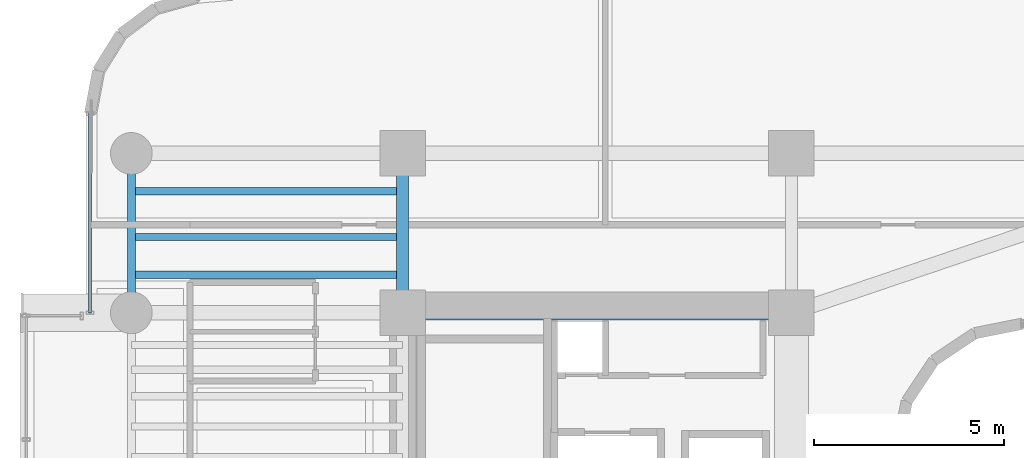
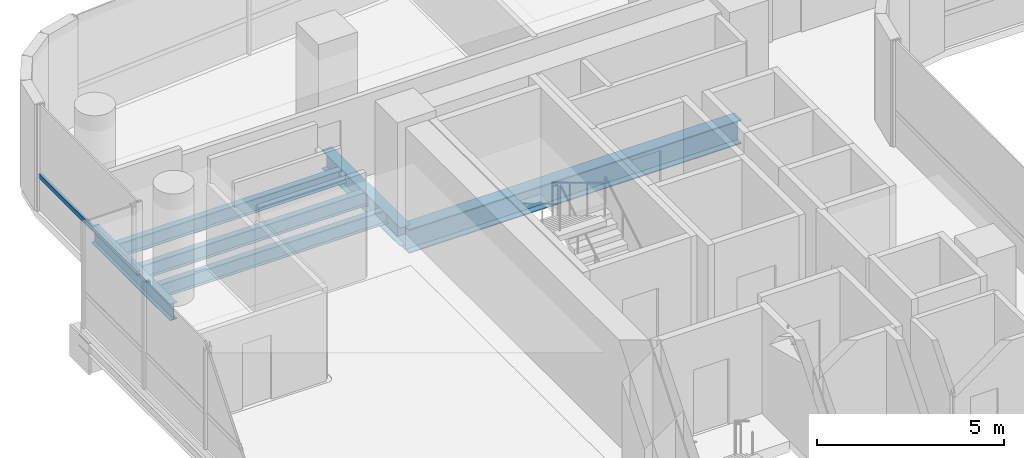
# One storey, part 8 of 34: 6 beams, 1 member, 1 element without a shape of its own.
"""IFC4 building model written with IfcOpenShell, lengths in metres."""

from ifc_helpers import new_model, si_unit, direction, frame, origin, origin_2d, place, context, subcontext, project, spatial, hollow_rectangle, i_section, extrude, source, transform, mapped, material, material_profile, profile_set, type_object, element, aggregate, save


model = new_model("IFC4")

# Units and contexts
model_context = context("Model", 3, precision=1e-05, world=origin(), true_north=direction((0.0, 1.0)))
body_context = subcontext(model_context, "Body", "Model", "MODEL_VIEW")
ifc_project = project(units=[si_unit("LENGTHUNIT", "METRE"), si_unit("AREAUNIT", "SQUARE_METRE"), si_unit("VOLUMEUNIT", "CUBIC_METRE"), si_unit("PLANEANGLEUNIT", "RADIAN"), si_unit("MASSUNIT", "GRAM", prefix="KILO")], contexts=[model_context])

# Site, building, storey
site_placement = place(None, origin())
site = spatial("IfcSite", under=ifc_project, at=site_placement, CompositionType="ELEMENT")
building_placement = place(site_placement, origin())
building = spatial("IfcBuilding", under=site, at=building_placement, Name="Valdorenza Pilgrim Sanctuary Tower", CompositionType="ELEMENT")
storey_placement = place(building_placement, frame((0.0, 0.0, 142.699951171875)))
storey = spatial("IfcBuildingStorey", under=building, at=storey_placement, Name="L36", CompositionType="ELEMENT", Elevation=142.699951171875)

# Beams
ifc_material_1 = material(Name="Steel ASTM A992 Grade 50", Category="steel")
ifc_material_profile_1 = material_profile(ifc_material_1, i_section(OverallWidth=0.214111328125, OverallDepth=0.549072265625, WebThickness=0.0146484375, FlangeThickness=0.023681640625, at=origin_2d()), Name="W21X93")
ifc_profile_set_1 = profile_set([ifc_material_profile_1], Name="Steel ASTM A992 Grade 50")
beam_type_1 = type_object("IfcBeamType", Name="STR-BM-SPN-W21A", PredefinedType="SPANDREL", material=ifc_profile_set_1)
shared_shape_1 = source(origin(), body_context, "Body", "SweptSolid", [
    extrude(i_section(OverallWidth=0.214111328125, OverallDepth=0.549072265625, WebThickness=0.0146484375, FlangeThickness=0.023681640625, at=origin_2d()), origin(), (0.0, 0.0, 1.0), 4.199951171875),
])
beam_1_placement = place(storey_placement, frame((-29.800048828125, 10.60009765625, -0.514404296875), z_axis=(0.0, 1.0, 0.0), x_axis=(-1.0, 0.0, 0.0)))
element("IfcBeam", 1, at=beam_1_placement, inside=storey, type_object=beam_type_1, Name="L36 Spandrel Beam WA-W-N1N2", PredefinedType="SPANDREL", context=body_context, shape_type="MappedRepresentation", body=[
    mapped(shared_shape_1, transform((0.0, 0.0, 0.0), x_axis=(1.0, 0.0, 0.0), y_axis=(0.0, 1.0, 0.0), z_axis=(0.0, 0.0, 1.0), scale=1.0)),
])
ifc_material_profile_2 = material_profile(ifc_material_1, i_section(OverallWidth=0.323974609375, OverallDepth=0.611083984375, WebThickness=0.0126953125, FlangeThickness=0.01904296875, at=origin_2d()), Name="W24X104")
ifc_profile_set_2 = profile_set([ifc_material_profile_2], Name="Steel ASTM A992 Grade 50")
beam_type_2 = type_object("IfcBeamType", Name="STR-BM-GRD-W24B", PredefinedType="BEAM", material=ifc_profile_set_2)
shared_shape_2 = source(origin(), body_context, "Body", "SweptSolid", [
    extrude(i_section(OverallWidth=0.323974609375, OverallDepth=0.611083984375, WebThickness=0.0126953125, FlangeThickness=0.01904296875, at=origin_2d()), origin(), (0.0, 0.0, 1.0), 4.199951171875),
])
beam_2_placement = place(storey_placement, frame((-22.64990234375, 10.60009765625, -0.54541015625), z_axis=(0.0, 1.0, 0.0), x_axis=(-1.0, 0.0, 0.0)))
element("IfcBeam", 2, at=beam_2_placement, inside=storey, type_object=beam_type_2, Name="L36 Core Tie Girder CA-W-N1N2", PredefinedType="BEAM", context=body_context, shape_type="MappedRepresentation", body=[
    mapped(shared_shape_2, transform((0.0, 0.0, 0.0), x_axis=(1.0, 0.0, 0.0), y_axis=(0.0, 1.0, 0.0), z_axis=(0.0, 0.0, 1.0), scale=1.0)),
])
ifc_material_profile_3 = material_profile(ifc_material_1, i_section(OverallWidth=0.382080078125, OverallDepth=0.779052734375, WebThickness=0.01806640625, FlangeThickness=0.030029296875, at=origin_2d()), Name="W30X191")
ifc_profile_set_3 = profile_set([ifc_material_profile_3], Name="Steel ASTM A992 Grade 50")
beam_type_3 = type_object("IfcBeamType", Name="STR-BM-GRD-W30", PredefinedType="BEAM", material=ifc_profile_set_3)
shared_shape_3 = source(origin(), body_context, "Body", "SweptSolid", [
    extrude(i_section(OverallWidth=0.382080078125, OverallDepth=0.779052734375, WebThickness=0.01806640625, FlangeThickness=0.030029296875, at=origin_2d()), origin(), (0.0, 0.0, 1.0), 10.25),
])
beam_3_placement = place(storey_placement, frame((-22.64990234375, 10.60009765625, -0.62939453125), z_axis=(1.0, 0.0, 0.0), x_axis=(0.0, 1.0, 0.0)))
element("IfcBeam", 3, at=beam_3_placement, inside=storey, type_object=beam_type_3, Name="L36 Floor Girder CA-XC-N1", PredefinedType="BEAM", context=body_context, shape_type="MappedRepresentation", body=[
    mapped(shared_shape_3, transform((0.0, 0.0, 0.0), x_axis=(1.0, 0.0, 0.0), y_axis=(0.0, 1.0, 0.0), z_axis=(0.0, 0.0, 1.0), scale=1.0)),
])
ifc_material_profile_4 = material_profile(ifc_material_1, i_section(OverallWidth=0.19091796875, OverallDepth=0.45703125, WebThickness=0.009033203125, FlangeThickness=0.014404296875, at=origin_2d()), Name="W18X50")
ifc_profile_set_4 = profile_set([ifc_material_profile_4], Name="Steel ASTM A992 Grade 50")
beam_type_4 = type_object("IfcBeamType", Name="STR-BM-JST-W18B", PredefinedType="JOIST", material=ifc_profile_set_4)
shared_shape_4 = source(origin(), body_context, "Body", "SweptSolid", [
    extrude(i_section(OverallWidth=0.19091796875, OverallDepth=0.45703125, WebThickness=0.009033203125, FlangeThickness=0.014404296875, at=origin_2d()), origin(), (0.0, 0.0, 1.0), 7.150146484375),
])
for number, where, z_axis, x_axis, name in (
    (4, (-29.800048828125, 11.60009765625, -0.468505859375), (1.0, 0.0, 0.0), (0.0, 1.0, 0.0), "L36 Composite Floor Joist JST-WA-24"),
    (5, (-29.800048828125, 12.60009765625, -0.468505859375), (1.0, 0.0, 0.0), (0.0, 1.0, 0.0), "L36 Composite Floor Joist JST-WA-25"),
    (6, (-29.800048828125, 13.800048828125, -0.468505859375), (1.0, 0.0, 0.0), (0.0, 1.0, 0.0), "L36 Composite Floor Joist JST-WA-26"),
):
    element("IfcBeam", number, at=place(storey_placement, frame(where, z_axis=z_axis, x_axis=x_axis)), inside=storey, type_object=beam_type_4, Name=name, PredefinedType="JOIST", context=body_context, shape_type="MappedRepresentation", body=[
        mapped(shared_shape_4, transform((0.0, 0.0, 0.0), x_axis=(1.0, 0.0, 0.0), y_axis=(0.0, 1.0, 0.0), z_axis=(0.0, 0.0, 1.0), scale=1.0)),
    ])

# Curtain wall, member
ifc_material_2 = material(Name="Curtain-wall IGU glazing", Category="glass")
curtain_wall_type = type_object("IfcCurtainWallType", Name="CW-SYS-02", PredefinedType="NOTDEFINED", material=ifc_material_2)
curtain_wall_placement = place(storey_placement, origin())
curtain_wall = element("IfcCurtainWall", 7, at=curtain_wall_placement, inside=storey, type_object=curtain_wall_type, Name="L36 Curtain Wall CW-L36-1-1S2", PredefinedType="NOTDEFINED")
ifc_material_3 = material(Name="Anodised aluminium AW-6060", Category="aluminium")
ifc_material_profile_5 = material_profile(ifc_material_3, hollow_rectangle(XDim=0.074951171875, YDim=0.14990234375, WallThickness=0.00390625, at=origin_2d()), Name="ALU-T 150x75x4")
ifc_profile_set_5 = profile_set([ifc_material_profile_5], Name="Anodised aluminium AW-6060")
member_type = type_object("IfcMemberType", Name="CW-TRN-02", PredefinedType="USERDEFINED", material=ifc_profile_set_5)
shared_shape_5 = source(origin(), body_context, "Body", "SweptSolid", [
    extrude(hollow_rectangle(XDim=0.074951171875, YDim=0.14990234375, WallThickness=0.00390625, at=origin_2d()), origin(), (0.0, 0.0, 1.0), 5.250244140625),
])
member_placement = place(storey_placement, frame((-30.889892578125, 10.60009765625, 1.1201171875), z_axis=(0.0, 1.0, 0.0), x_axis=(-1.0, 0.0, 0.0)))
member = element("IfcMember", 8, at=member_placement, type_object=member_type, Name="CW-L36-1-1S2 Transom 1", ObjectType="TRANSOM", PredefinedType="USERDEFINED", context=body_context, shape_type="MappedRepresentation", body=[
    mapped(shared_shape_5, transform((0.0, 0.0, 0.0), x_axis=(1.0, 0.0, 0.0), y_axis=(0.0, 1.0, 0.0), z_axis=(0.0, 0.0, 1.0), scale=1.0)),
])
aggregate(curtain_wall, [member])

save(model, "model.ifc")
